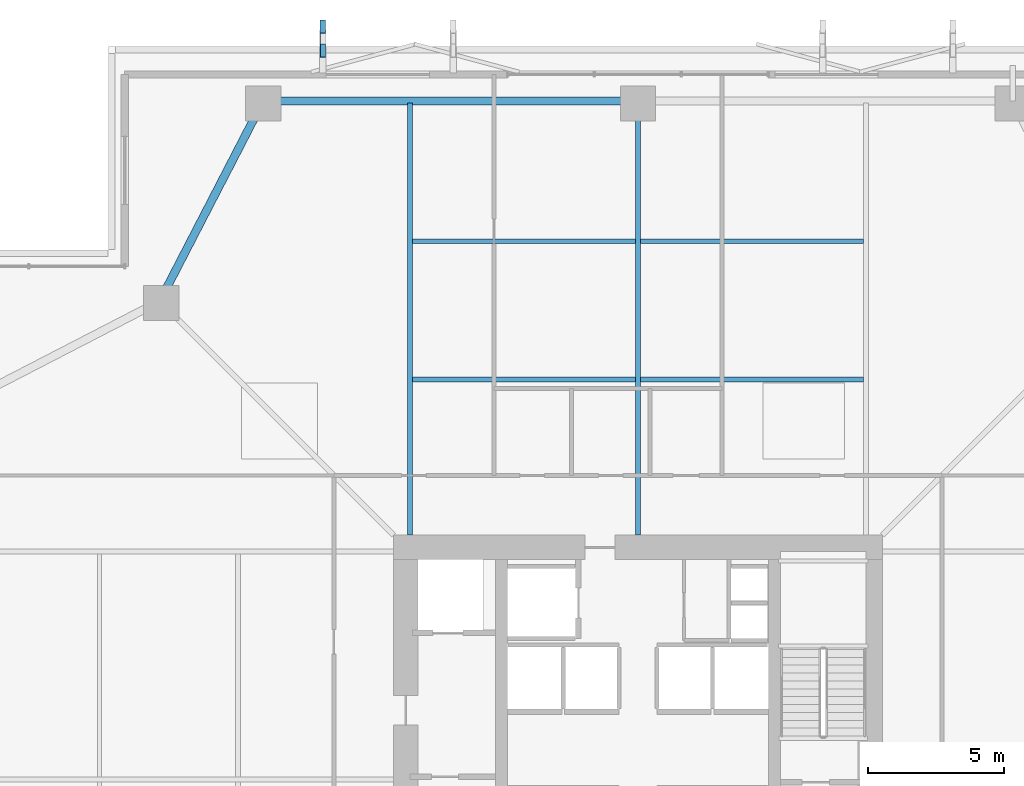
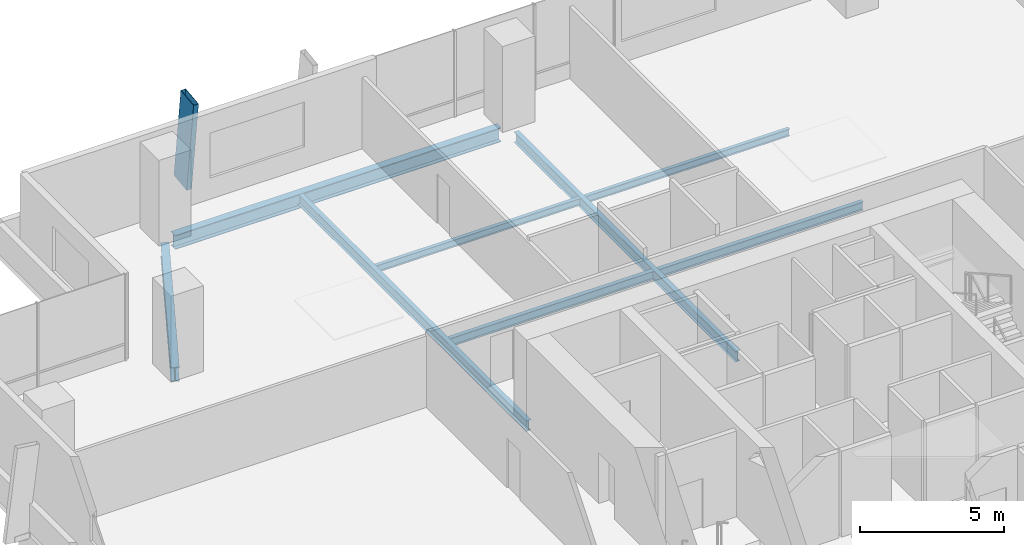
# One storey, part 21 of 34: 8 beams, 1 member.
"""IFC4 building model written with IfcOpenShell, lengths in metres."""

from ifc_helpers import new_model, si_unit, direction, frame, origin, origin_2d, place, context, subcontext, project, spatial, hollow_rectangle, i_section, extrude, material, material_profile, profile_set, type_object, element, save


model = new_model("IFC4")

# Units and contexts
model_context = context("Model", 3, precision=1e-05, world=origin(), true_north=direction((0.0, 1.0)))
body_context = subcontext(model_context, "Body", "Model", "MODEL_VIEW")
ifc_project = project(units=[si_unit("LENGTHUNIT", "METRE"), si_unit("AREAUNIT", "SQUARE_METRE"), si_unit("VOLUMEUNIT", "CUBIC_METRE"), si_unit("PLANEANGLEUNIT", "RADIAN"), si_unit("MASSUNIT", "GRAM", prefix="KILO")], contexts=[model_context])

# Site, building, storey
site_placement = place(None, origin())
site = spatial("IfcSite", under=ifc_project, at=site_placement, CompositionType="ELEMENT")
building_placement = place(site_placement, origin())
building = spatial("IfcBuilding", under=site, at=building_placement, Name="Belovzor Exchange Tower", CompositionType="ELEMENT")
storey_placement = place(building_placement, frame((0.0, 0.0, 113.39990234375)))
storey = spatial("IfcBuildingStorey", under=building, at=storey_placement, Name="L27", CompositionType="ELEMENT", Elevation=113.39990234375)

# Beams
ifc_material_1 = material(Name="Steel S355", Category="steel")
ifc_material_profile_1 = material_profile(ifc_material_1, i_section(OverallWidth=0.169921875, OverallDepth=0.360107421875, WebThickness=0.008056640625, FlangeThickness=0.0126953125, at=origin_2d()))
ifc_profile_set_1 = profile_set([ifc_material_profile_1], Name="Steel S355")
beam_type_1 = type_object("IfcBeamType", Name="Secondary Infill Floor Joist IPE 360", PredefinedType="BEAM", material=ifc_profile_set_1)
for number, where, z_axis, x_axis, name in (
    (1, (20.4951171875, 43.530029296875, -0.429931640625), (1.0, 0.0, 0.0), (0.0, 1.0, 0.0), "FJ-360 Secondary Infill Floor Joist IPE 360"),
    (2, (28.89501953125, 43.530029296875, -0.429931640625), (1.0, 0.0, 0.0), (0.0, 1.0, 0.0), "FJ-360 Secondary Infill Floor Joist IPE 360"),
):
    element("IfcBeam", number, at=place(storey_placement, frame(where, z_axis=z_axis, x_axis=x_axis)), inside=storey, type_object=beam_type_1, Name=name, PredefinedType="BEAM", context=body_context, shape_type="SweptSolid", body=[
        extrude(i_section(OverallWidth=0.169921875, OverallDepth=0.360107421875, WebThickness=0.008056640625, FlangeThickness=0.0126953125, at=origin_2d()), origin(), (0.0, 0.0, 1.0), 8.2099609375),
    ])
ifc_material_2 = material(Name="Steel S355", Category="steel")
ifc_material_profile_2 = material_profile(ifc_material_2, i_section(OverallWidth=0.14990234375, OverallDepth=0.300048828125, WebThickness=0.007080078125, FlangeThickness=0.0107421875, at=origin_2d()))
ifc_profile_set_2 = profile_set([ifc_material_profile_2], Name="Steel S355")
beam_type_2 = type_object("IfcBeamType", Name="Secondary Trim Floor Joist IPE 300", PredefinedType="BEAM", material=ifc_profile_set_2)
for number, where, z_axis, x_axis, name in (
    (3, (20.4951171875, 48.6240234375, -0.39990234375), (1.0, 0.0, 0.0), (0.0, 1.0, 0.0), "FJ-300 Secondary Trim Floor Joist IPE 300"),
    (4, (28.89501953125, 48.6240234375, -0.39990234375), (1.0, 0.0, 0.0), (0.0, 1.0, 0.0), "FJ-300 Secondary Trim Floor Joist IPE 300"),
):
    element("IfcBeam", number, at=place(storey_placement, frame(where, z_axis=z_axis, x_axis=x_axis)), inside=storey, type_object=beam_type_2, Name=name, PredefinedType="BEAM", context=body_context, shape_type="SweptSolid", body=[
        extrude(i_section(OverallWidth=0.14990234375, OverallDepth=0.300048828125, WebThickness=0.007080078125, FlangeThickness=0.0107421875, at=origin_2d()), origin(), (0.0, 0.0, 1.0), 8.2099609375),
    ])

# Member
ifc_material_3 = material(Name="Extruded Architectural Terracotta on Steel S355 Carrier", Category="masonry")
ifc_material_profile_3 = material_profile(ifc_material_3, hollow_rectangle(XDim=0.199951171875, YDim=0.89990234375, WallThickness=0.011962890625, at=origin_2d()))
ifc_profile_set_3 = profile_set([ifc_material_profile_3], Name="Extruded Architectural Terracotta on Steel S355 Carrier")
member_type = type_object("IfcMemberType", Name="Sweeping Terracotta Baguette Fin Assembly 1250", PredefinedType="USERDEFINED", material=ifc_profile_set_3)
member_placement = place(storey_placement, frame((17.199951171875, 56.324951171875, -0.25), z_axis=(0.0, -0.122880110894, 0.992421522513), x_axis=(1.0, 0.0, 0.0)))
element("IfcMember", 5, at=member_placement, inside=storey, type_object=member_type, Name="FIN-TC125 Terracotta Facade Fin L27 N1", ObjectType="FIN", PredefinedType="USERDEFINED", context=body_context, shape_type="SweptSolid", body=[
    extrude(hollow_rectangle(XDim=0.199951171875, YDim=0.89990234375, WallThickness=0.011962890625, at=origin_2d()), origin(), (0.0, 0.0, 1.0), 3.929931640625),
])

# Beams
ifc_material_4 = material(Name="Steel S355", Category="steel")
ifc_material_profile_4 = material_profile(ifc_material_4, i_section(OverallWidth=0.300048828125, OverallDepth=0.60009765625, WebThickness=0.015380859375, FlangeThickness=0.030029296875, at=origin_2d()))
ifc_profile_set_4 = profile_set([ifc_material_profile_4], Name="Steel S355")
beam_type_3 = type_object("IfcBeamType", Name="Zone 2 Primary Perimeter Girder HEB 600", PredefinedType="BEAM", material=ifc_profile_set_4)
beam_1_placement = place(storey_placement, frame((28.44189453125, 53.7919921875, -0.5498046875), z_axis=(-1.0, 0.0, 0.0), x_axis=(0.0, -1.0, 0.0)))
element("IfcBeam", 6, at=beam_1_placement, inside=storey, type_object=beam_type_3, Name="FG-Z2 Zone 2 Primary Perimeter Girder HEB 600", PredefinedType="BEAM", context=body_context, shape_type="SweptSolid", body=[
    extrude(i_section(OverallWidth=0.300048828125, OverallDepth=0.60009765625, WebThickness=0.015380859375, FlangeThickness=0.030029296875, at=origin_2d()), origin(), (0.0, 0.0, 1.0), 13.0849609375),
])
beam_2_placement = place(storey_placement, frame((14.8359375, 53.47412109375, -0.5498046875), z_axis=(-0.45880511642, -0.888536923907, 0.0), x_axis=(0.888536923907, -0.45880511642, 0.0)))
element("IfcBeam", 7, at=beam_2_placement, inside=storey, type_object=beam_type_3, Name="FG-Z2 Zone 2 Primary Perimeter Girder HEB 600", PredefinedType="BEAM", context=body_context, shape_type="SweptSolid", body=[
    extrude(i_section(OverallWidth=0.300048828125, OverallDepth=0.60009765625, WebThickness=0.015380859375, FlangeThickness=0.030029296875, at=origin_2d()), origin(), (0.0, 0.0, 1.0), 7.59130859375),
])
ifc_material_5 = material(Name="Steel S355", Category="steel")
ifc_material_profile_5 = material_profile(ifc_material_5, i_section(OverallWidth=0.18994140625, OverallDepth=0.449951171875, WebThickness=0.009521484375, FlangeThickness=0.0146484375, at=origin_2d()))
ifc_profile_set_5 = profile_set([ifc_material_profile_5], Name="Steel S355")
beam_type_4 = type_object("IfcBeamType", Name="Zone 2-4 Radial Composite Floor Beam IPE 450", PredefinedType="BEAM", material=ifc_profile_set_5)
beam_3_placement = place(storey_placement, frame((20.39990234375, 37.800048828125, -0.474853515625), z_axis=(0.0, 1.0, 0.0), x_axis=(-1.0, 0.0, 0.0)))
element("IfcBeam", 8, at=beam_3_placement, inside=storey, type_object=beam_type_4, Name="FB-450 Zone 2-4 Radial Composite Floor Beam IPE 450", PredefinedType="BEAM", context=body_context, shape_type="SweptSolid", body=[
    extrude(i_section(OverallWidth=0.18994140625, OverallDepth=0.449951171875, WebThickness=0.009521484375, FlangeThickness=0.0146484375, at=origin_2d()), origin(), (0.0, 0.0, 1.0), 15.9169921875),
])
beam_4_placement = place(storey_placement, frame((28.800048828125, 37.800048828125, -0.474853515625), z_axis=(0.0, 1.0, 0.0), x_axis=(-1.0, 0.0, 0.0)))
element("IfcBeam", 9, at=beam_4_placement, inside=storey, type_object=beam_type_4, Name="FB-450 Zone 2-4 Radial Composite Floor Beam IPE 450", PredefinedType="BEAM", context=body_context, shape_type="SweptSolid", body=[
    extrude(i_section(OverallWidth=0.18994140625, OverallDepth=0.449951171875, WebThickness=0.009521484375, FlangeThickness=0.0146484375, at=origin_2d()), origin(), (0.0, 0.0, 1.0), 15.406982421875),
])

save(model, "model.ifc")
